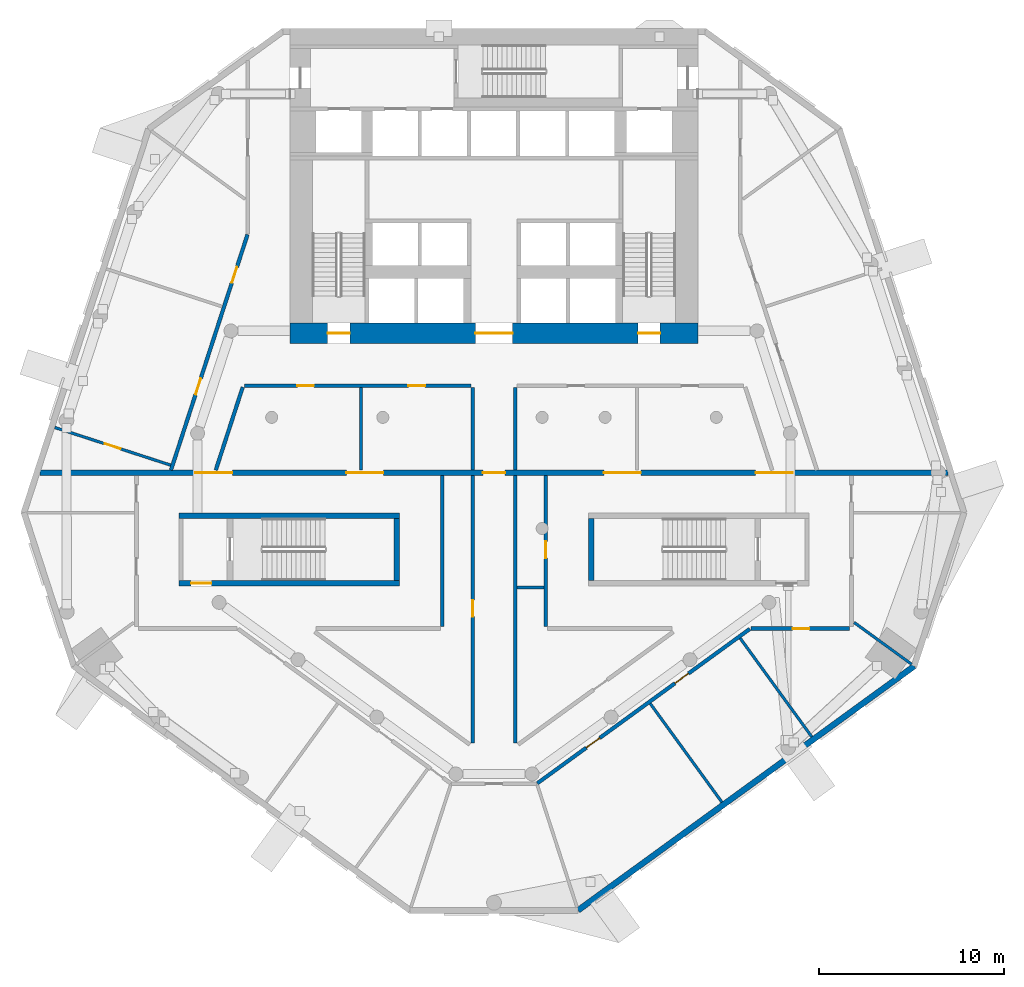
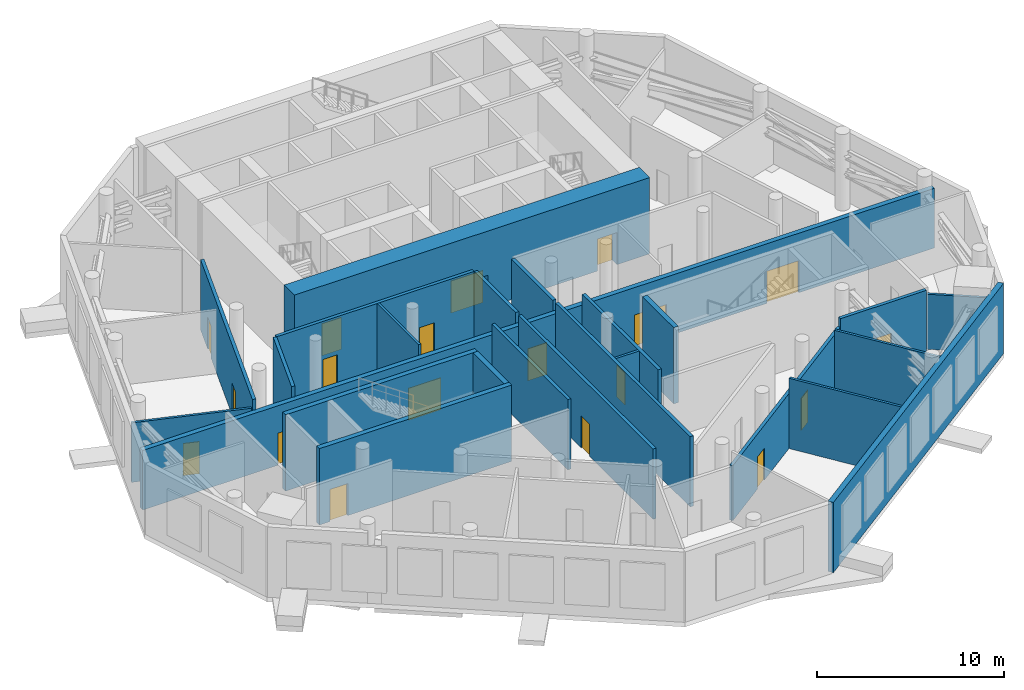
# One storey, part 7 of 15: 24 walls, 19 doors, 19 openings.
"""IFC4 building model written with IfcOpenShell, lengths in metres."""

from ifc_helpers import new_model, si_unit, direction, frame, frame_2d, origin, place, context, subcontext, project, spatial, rectangle, extrude, material, layer, layer_set, type_object, element, fill, save


model = new_model("IFC4")

# Units and contexts
model_context = context("Model", 3, precision=1e-05, world=origin(), true_north=direction((0.0, 1.0)))
body_context = subcontext(model_context, "Body", "Model", "MODEL_VIEW")
ifc_project = project(units=[si_unit("LENGTHUNIT", "METRE"), si_unit("AREAUNIT", "SQUARE_METRE"), si_unit("VOLUMEUNIT", "CUBIC_METRE"), si_unit("PLANEANGLEUNIT", "RADIAN"), si_unit("MASSUNIT", "GRAM", prefix="KILO")], contexts=[model_context])

# Site, building, storey
site_placement = place(None, origin())
site = spatial("IfcSite", under=ifc_project, at=site_placement, CompositionType="ELEMENT")
building_placement = place(site_placement, origin())
building = spatial("IfcBuilding", under=site, at=building_placement, Name="White Candle Pilgrim Tower", CompositionType="ELEMENT")
storey_placement = place(building_placement, frame((0.0, 0.0, 137.60009765625)))
storey = spatial("IfcBuildingStorey", under=building, at=storey_placement, Name="L31", CompositionType="ELEMENT", Elevation=137.60009765625)

# Wall, openings, doors
ifc_material_1 = material(Name="Gypsum board on steel studs", Category="steel")
ifc_layer_1 = layer(ifc_material_1, 0.199951171875)
ifc_layer_set_1 = layer_set([ifc_layer_1], Name="Corridor wall 200 mm EI 45")
wall_type_1 = type_object("IfcWallType", Name="Corridor wall 200 mm EI 45", PredefinedType="PARTITIONING", material=ifc_layer_set_1)
wall_1_placement = place(storey_placement, frame((52.562744140625, 64.14990234375, 0.0), z_axis=(0.0, 0.0, 1.0), x_axis=(0.309005574406, 0.951060226792, 0.0)))
wall_1 = element("IfcWall", 1, at=wall_1_placement, inside=storey, type_object=wall_type_1, Name="WL-L31-P002", PredefinedType="PARTITIONING", context=body_context, shape_type="SweptSolid", body=[
    extrude(rectangle(XDim=13.373046875, YDim=0.199951171875, at=frame_2d((6.6865234375, 0.0))), origin(), (0.0, 0.0, 1.0), 4.599853515625),
])
opening_1_placement = place(wall_1_placement, frame((4.30224609375, 0.0, 0.0)))
opening_1 = element("IfcOpeningElement", 2, at=opening_1_placement, cuts=wall_1, Name="Opening L31-121", PredefinedType="OPENING", context=body_context, shape_type="SweptSolid", body=[
    extrude(rectangle(XDim=0.89990234375, YDim=2.10009765625, at=frame_2d((0.449951171875, 1.050048828125))), frame((0.0, 0.10986328125, 0.0), z_axis=(0.0, -1.0, 0.0), x_axis=(1.0, 0.0, 0.0)), (0.0, 0.0, 1.0), 0.219970703125),
])
opening_2_placement = place(wall_1_placement, frame((10.632080078125, 0.0, 0.0)))
opening_2 = element("IfcOpeningElement", 3, at=opening_2_placement, cuts=wall_1, Name="Opening L31-122", PredefinedType="OPENING", context=body_context, shape_type="SweptSolid", body=[
    extrude(rectangle(XDim=0.89990234375, YDim=2.10009765625, at=frame_2d((0.449951171875, 1.050048828125))), frame((0.0, 0.10986328125, 0.0), z_axis=(0.0, -1.0, 0.0), x_axis=(1.0, 0.0, 0.0)), (0.0, 0.0, 1.0), 0.219970703125),
])
ifc_material_2 = material(Name="Steel door leaf", Category="steel")
door_type_1 = type_object("IfcDoorType", Name="Fire door 900 x 2100 EI 30", OperationType="NOTDEFINED", PredefinedType="DOOR", material=ifc_material_2)
door_1_placement = place(opening_1_placement, origin())
door_1 = element("IfcDoor", 4, at=door_1_placement, inside=storey, type_object=door_type_1, Name="Door L31-121", OperationType="SINGLE_SWING_LEFT", OverallHeight=2.10009765625, OverallWidth=0.89990234375, PredefinedType="DOOR", context=body_context, shape_type="SweptSolid", body=[
    extrude(rectangle(XDim=0.89990234375, YDim=2.10009765625, at=frame_2d((0.449951171875, 1.050048828125))), frame((0.0, 0.02490234375, 0.0), z_axis=(0.0, -1.0, 0.0), x_axis=(1.0, 0.0, 0.0)), (0.0, 0.0, 1.0), 0.050048828125),
])
fill(opening_1, door_1)
door_2_placement = place(opening_2_placement, origin())
door_2 = element("IfcDoor", 5, at=door_2_placement, inside=storey, type_object=door_type_1, Name="Door L31-122", OperationType="SINGLE_SWING_RIGHT", OverallHeight=2.10009765625, OverallWidth=0.89990234375, PredefinedType="DOOR", context=body_context, shape_type="SweptSolid", body=[
    extrude(rectangle(XDim=0.89990234375, YDim=2.10009765625, at=frame_2d((0.449951171875, 1.050048828125))), frame((0.0, 0.02490234375, 0.0), z_axis=(0.0, -1.0, 0.0), x_axis=(1.0, 0.0, 0.0)), (0.0, 0.0, 1.0), 0.050048828125),
])
fill(opening_2, door_2)

# Wall, opening, door
wall_2_placement = place(storey_placement, frame((89.199951171875, 55.60009765625, 0.0), z_axis=(0.0, 0.0, 1.0), x_axis=(-1.0, 0.0, 0.0)))
wall_2 = element("IfcWall", 6, at=wall_2_placement, inside=storey, type_object=wall_type_1, Name="WL-L31-P007", PredefinedType="PARTITIONING", context=body_context, shape_type="SweptSolid", body=[
    extrude(rectangle(XDim=5.32958984375, YDim=0.199951171875, at=frame_2d((2.664794921875, 0.0))), origin(), (0.0, 0.0, 1.0), 4.14990234375),
])
opening_3_placement = place(wall_2_placement, frame((2.18115234375, 0.0, 0.0)))
opening_3 = element("IfcOpeningElement", 7, at=opening_3_placement, cuts=wall_2, Name="Opening L31-108", PredefinedType="OPENING", context=body_context, shape_type="SweptSolid", body=[
    extrude(rectangle(XDim=0.89990234375, YDim=2.10009765625, at=frame_2d((0.449951171875, 1.050048828125))), frame((0.0, 0.10986328125, 0.0), z_axis=(0.0, -1.0, 0.0), x_axis=(1.0, 0.0, 0.0)), (0.0, 0.0, 1.0), 0.219970703125),
])
door_3_placement = place(opening_3_placement, origin())
door_3 = element("IfcDoor", 8, at=door_3_placement, inside=storey, type_object=door_type_1, Name="Door L31-108", OperationType="SINGLE_SWING_RIGHT", OverallHeight=2.10009765625, OverallWidth=0.89990234375, PredefinedType="DOOR", context=body_context, shape_type="SweptSolid", body=[
    extrude(rectangle(XDim=0.89990234375, YDim=2.10009765625, at=frame_2d((0.449951171875, 1.050048828125))), frame((0.0, 0.02490234375, 0.0), z_axis=(0.0, -1.0, 0.0), x_axis=(1.0, 0.0, 0.0)), (0.0, 0.0, 1.0), 0.050048828125),
])
fill(opening_3, door_3)

# Wall, openings, doors
wall_3_placement = place(storey_placement, frame((83.8115234375, 55.580810546875, 0.0), z_axis=(0.0, 0.0, 1.0), x_axis=(-0.809019673584, -0.58778156466, 0.0)))
wall_3 = element("IfcWall", 9, at=wall_3_placement, inside=storey, type_object=wall_type_1, Name="WL-L31-P008", PredefinedType="PARTITIONING", context=body_context, shape_type="SweptSolid", body=[
    extrude(rectangle(XDim=14.17919921875, YDim=0.199951171875, at=frame_2d((7.089599609375, 0.0))), origin(), (0.0, 0.0, 1.0), 3.599853515625),
])
opening_4_placement = place(wall_3_placement, frame((10.01513671875, 0.0, 0.0)))
opening_4 = element("IfcOpeningElement", 10, at=opening_4_placement, cuts=wall_3, Name="Opening L31-106", PredefinedType="OPENING", context=body_context, shape_type="SweptSolid", body=[
    extrude(rectangle(XDim=0.89990234375, YDim=2.10009765625, at=frame_2d((0.449951171875, 1.050048828125))), frame((0.0, 0.10986328125, 0.0), z_axis=(0.0, -1.0, 0.0), x_axis=(1.0, 0.0, 0.0)), (0.0, 0.0, 1.0), 0.219970703125),
])
opening_5_placement = place(wall_3_placement, frame((4.09375, 0.0, 0.0)))
opening_5 = element("IfcOpeningElement", 11, at=opening_5_placement, cuts=wall_3, Name="Opening L31-107", PredefinedType="OPENING", context=body_context, shape_type="SweptSolid", body=[
    extrude(rectangle(XDim=0.89990234375, YDim=2.10009765625, at=frame_2d((0.449951171875, 1.050048828125))), frame((0.0, 0.10986328125, 0.0), z_axis=(0.0, -1.0, 0.0), x_axis=(1.0, 0.0, 0.0)), (0.0, 0.0, 1.0), 0.219970703125),
])
door_4_placement = place(opening_4_placement, origin())
door_4 = element("IfcDoor", 12, at=door_4_placement, inside=storey, type_object=door_type_1, Name="Door L31-106", OperationType="SINGLE_SWING_RIGHT", OverallHeight=2.10009765625, OverallWidth=0.89990234375, PredefinedType="DOOR", context=body_context, shape_type="SweptSolid", body=[
    extrude(rectangle(XDim=0.89990234375, YDim=2.10009765625, at=frame_2d((0.449951171875, 1.050048828125))), frame((0.0, 0.02490234375, 0.0), z_axis=(0.0, -1.0, 0.0), x_axis=(1.0, 0.0, 0.0)), (0.0, 0.0, 1.0), 0.050048828125),
])
fill(opening_4, door_4)
door_5_placement = place(opening_5_placement, origin())
door_5 = element("IfcDoor", 13, at=door_5_placement, inside=storey, type_object=door_type_1, Name="Door L31-107", OperationType="SINGLE_SWING_LEFT", OverallHeight=2.10009765625, OverallWidth=0.89990234375, PredefinedType="DOOR", context=body_context, shape_type="SweptSolid", body=[
    extrude(rectangle(XDim=0.89990234375, YDim=2.10009765625, at=frame_2d((0.449951171875, 1.050048828125))), frame((0.0, 0.02490234375, 0.0), z_axis=(0.0, -1.0, 0.0), x_axis=(1.0, 0.0, 0.0)), (0.0, 0.0, 1.0), 0.050048828125),
])
fill(opening_5, door_5)

# Walls
wall_4_placement = place(storey_placement, frame((71.14990234375, 68.60009765625, 0.0), z_axis=(0.0, 0.0, 1.0), x_axis=(0.0, -1.0, 0.0)))
element("IfcWall", 14, at=wall_4_placement, inside=storey, type_object=wall_type_1, Name="WL-L31-P015", PredefinedType="PARTITIONING", context=body_context, shape_type="SweptSolid", body=[
    extrude(rectangle(XDim=4.4501953125, YDim=0.199951171875, at=frame_2d((2.22509765625, 0.0))), origin(), (0.0, 0.0, 1.0), 4.599853515625),
])
wall_5_placement = place(storey_placement, frame((71.14990234375, 63.85009765625, 0.0), z_axis=(0.0, 0.0, 1.0), x_axis=(0.0, -1.0, 0.0)))
element("IfcWall", 15, at=wall_5_placement, inside=storey, type_object=wall_type_1, Name="WL-L31-P016", PredefinedType="PARTITIONING", context=body_context, shape_type="SweptSolid", body=[
    extrude(rectangle(XDim=14.42919921875, YDim=0.199951171875, at=frame_2d((7.214599609375, 0.0))), origin(), (0.0, 0.0, 1.0), 4.599853515625),
])

# Wall, opening, door
wall_6_placement = place(storey_placement, frame((72.800048828125, 55.699951171875, 0.0), z_axis=(0.0, 0.0, 1.0), x_axis=(0.0, 1.0, 0.0)))
wall_6 = element("IfcWall", 16, at=wall_6_placement, inside=storey, type_object=wall_type_1, Name="WL-L31-P019", PredefinedType="PARTITIONING", context=body_context, shape_type="SweptSolid", body=[
    extrude(rectangle(XDim=8.150146484375, YDim=0.199951171875, at=frame_2d((4.0751953125, 0.0))), origin(), (0.0, 0.0, 1.0), 4.599853515625),
])
opening_6_placement = place(wall_6_placement, frame((3.704345703125, 0.0, 0.0)))
opening_6 = element("IfcOpeningElement", 17, at=opening_6_placement, cuts=wall_6, Name="Opening L31-118", PredefinedType="OPENING", context=body_context, shape_type="SweptSolid", body=[
    extrude(rectangle(XDim=0.89990234375, YDim=2.10009765625, at=frame_2d((0.449951171875, 1.050048828125))), frame((0.0, 0.10986328125, 0.0), z_axis=(0.0, -1.0, 0.0), x_axis=(1.0, 0.0, 0.0)), (0.0, 0.0, 1.0), 0.219970703125),
])
door_6_placement = place(opening_6_placement, origin())
door_6 = element("IfcDoor", 18, at=door_6_placement, inside=storey, type_object=door_type_1, Name="Door L31-118", OperationType="SINGLE_SWING_RIGHT", OverallHeight=2.10009765625, OverallWidth=0.89990234375, PredefinedType="DOOR", context=body_context, shape_type="SweptSolid", body=[
    extrude(rectangle(XDim=0.89990234375, YDim=2.10009765625, at=frame_2d((0.449951171875, 1.050048828125))), frame((0.0, 0.02490234375, 0.0), z_axis=(0.0, -1.0, 0.0), x_axis=(1.0, 0.0, 0.0)), (0.0, 0.0, 1.0), 0.050048828125),
])
fill(opening_6, door_6)

wall_7_placement = place(storey_placement, frame((68.85009765625, 49.4208984375, 0.0), z_axis=(0.0, 0.0, 1.0), x_axis=(0.0, 1.0, 0.0)))
wall_7 = element("IfcWall", 19, at=wall_7_placement, inside=storey, type_object=wall_type_1, Name="WL-L31-P020", PredefinedType="PARTITIONING", context=body_context, shape_type="SweptSolid", body=[
    extrude(rectangle(XDim=14.42919921875, YDim=0.199951171875, at=frame_2d((7.214599609375, 0.0))), origin(), (0.0, 0.0, 1.0), 4.599853515625),
])
opening_7_placement = place(wall_7_placement, frame((6.817626953125, 0.0, 0.0)))
opening_7 = element("IfcOpeningElement", 20, at=opening_7_placement, cuts=wall_7, Name="Opening L31-115", PredefinedType="OPENING", context=body_context, shape_type="SweptSolid", body=[
    extrude(rectangle(XDim=0.89990234375, YDim=2.10009765625, at=frame_2d((0.449951171875, 1.050048828125))), frame((0.0, 0.10986328125, 0.0), z_axis=(0.0, -1.0, 0.0), x_axis=(1.0, 0.0, 0.0)), (0.0, 0.0, 1.0), 0.219970703125),
])
door_7_placement = place(opening_7_placement, origin())
door_7 = element("IfcDoor", 21, at=door_7_placement, inside=storey, type_object=door_type_1, Name="Door L31-115", OperationType="SINGLE_SWING_LEFT", OverallHeight=2.10009765625, OverallWidth=0.89990234375, PredefinedType="DOOR", context=body_context, shape_type="SweptSolid", body=[
    extrude(rectangle(XDim=0.89990234375, YDim=2.10009765625, at=frame_2d((0.449951171875, 1.050048828125))), frame((0.0, 0.02490234375, 0.0), z_axis=(0.0, -1.0, 0.0), x_axis=(1.0, 0.0, 0.0)), (0.0, 0.0, 1.0), 0.050048828125),
])
fill(opening_7, door_7)

# Wall
wall_8_placement = place(storey_placement, frame((68.85009765625, 64.14990234375, 0.0), z_axis=(0.0, 0.0, 1.0), x_axis=(0.0, 1.0, 0.0)))
element("IfcWall", 22, at=wall_8_placement, inside=storey, type_object=wall_type_1, Name="WL-L31-P021", PredefinedType="PARTITIONING", context=body_context, shape_type="SweptSolid", body=[
    extrude(rectangle(XDim=4.4501953125, YDim=0.199951171875, at=frame_2d((2.22509765625, 0.0))), origin(), (0.0, 0.0, 1.0), 4.599853515625),
])

# Wall, openings, doors
wall_9_placement = place(storey_placement, frame((68.75, 68.699951171875, 0.0), z_axis=(0.0, 0.0, 1.0), x_axis=(-1.0, 0.0, 0.0)))
wall_9 = element("IfcWall", 23, at=wall_9_placement, inside=storey, type_object=wall_type_1, Name="WL-L31-P022", PredefinedType="PARTITIONING", context=body_context, shape_type="SweptSolid", body=[
    extrude(rectangle(XDim=12.218017578125, YDim=0.199951171875, at=frame_2d((6.10888671875, 0.0))), origin(), (0.0, 0.0, 1.0), 4.599853515625),
])
opening_8_placement = place(wall_9_placement, frame((2.467529296875, 0.0, 0.0)))
opening_8 = element("IfcOpeningElement", 24, at=opening_8_placement, cuts=wall_9, Name="Opening L31-116", PredefinedType="OPENING", context=body_context, shape_type="SweptSolid", body=[
    extrude(rectangle(XDim=0.89990234375, YDim=2.10009765625, at=frame_2d((0.449951171875, 1.050048828125))), frame((0.0, 0.10986328125, 0.0), z_axis=(0.0, -1.0, 0.0), x_axis=(1.0, 0.0, 0.0)), (0.0, 0.0, 1.0), 0.219970703125),
])
opening_9_placement = place(wall_9_placement, frame((8.467041015625, 0.0, 0.0)))
opening_9 = element("IfcOpeningElement", 25, at=opening_9_placement, cuts=wall_9, Name="Opening L31-129", PredefinedType="OPENING", context=body_context, shape_type="SweptSolid", body=[
    extrude(rectangle(XDim=0.89990234375, YDim=2.10009765625, at=frame_2d((0.449951171875, 1.050048828125))), frame((0.0, 0.10986328125, 0.0), z_axis=(0.0, -1.0, 0.0), x_axis=(1.0, 0.0, 0.0)), (0.0, 0.0, 1.0), 0.219970703125),
])
door_8_placement = place(opening_8_placement, origin())
door_8 = element("IfcDoor", 26, at=door_8_placement, inside=storey, type_object=door_type_1, Name="Door L31-116", OperationType="SINGLE_SWING_RIGHT", OverallHeight=2.10009765625, OverallWidth=0.89990234375, PredefinedType="DOOR", context=body_context, shape_type="SweptSolid", body=[
    extrude(rectangle(XDim=0.89990234375, YDim=2.10009765625, at=frame_2d((0.449951171875, 1.050048828125))), frame((0.0, 0.02490234375, 0.0), z_axis=(0.0, -1.0, 0.0), x_axis=(1.0, 0.0, 0.0)), (0.0, 0.0, 1.0), 0.050048828125),
])
fill(opening_8, door_8)
door_9_placement = place(opening_9_placement, origin())
door_9 = element("IfcDoor", 27, at=door_9_placement, inside=storey, type_object=door_type_1, Name="Door L31-129", OperationType="SINGLE_SWING_LEFT", OverallHeight=2.10009765625, OverallWidth=0.89990234375, PredefinedType="DOOR", context=body_context, shape_type="SweptSolid", body=[
    extrude(rectangle(XDim=0.89990234375, YDim=2.10009765625, at=frame_2d((0.449951171875, 1.050048828125))), frame((0.0, 0.02490234375, 0.0), z_axis=(0.0, -1.0, 0.0), x_axis=(1.0, 0.0, 0.0)), (0.0, 0.0, 1.0), 0.050048828125),
])
fill(opening_9, door_9)

# Walls
wall_10_placement = place(storey_placement, frame((56.43701171875, 68.630859375, 0.0), z_axis=(0.0, 0.0, 1.0), x_axis=(-0.309036861841, -0.951050060735, 0.0)))
element("IfcWall", 28, at=wall_10_placement, inside=storey, type_object=wall_type_1, Name="WL-L31-P023", PredefinedType="PARTITIONING", context=body_context, shape_type="SweptSolid", body=[
    extrude(rectangle(XDim=4.711669921875, YDim=0.199951171875, at=frame_2d((2.35595703125, 0.0))), origin(), (0.0, 0.0, 1.0), 4.599853515625),
])
wall_11_placement = place(storey_placement, frame((67.199951171875, 63.85009765625, 0.0), z_axis=(0.0, 0.0, 1.0), x_axis=(0.0, -1.0, 0.0)))
element("IfcWall", 29, at=wall_11_placement, inside=storey, type_object=wall_type_1, Name="WL-L31-P024", PredefinedType="PARTITIONING", context=body_context, shape_type="SweptSolid", body=[
    extrude(rectangle(XDim=8.150146484375, YDim=0.199951171875, at=frame_2d((4.0751953125, 0.0))), origin(), (0.0, 0.0, 1.0), 4.599853515625),
])
ifc_material_3 = material(Name="Precast concrete C40/50", Category="concrete")
ifc_layer_2 = layer(ifc_material_3, 0.320068359375)
ifc_layer_set_2 = layer_set([ifc_layer_2], Name="Facade wall EW2 precast concrete C40/50 plant wall behind louvres")
wall_type_2 = type_object("IfcWallType", Name="Facade wall EW2 precast concrete C40/50 plant wall behind louvres", PredefinedType="SOLIDWALL", material=ifc_layer_set_2)
wall_12_placement = place(storey_placement, frame((74.536376953125, 40.387451171875, 0.0), z_axis=(0.0, 0.0, 1.0), x_axis=(0.80902026874, 0.58778074549, 0.0)))
element("IfcWall", 30, at=wall_12_placement, inside=storey, type_object=wall_type_2, Name="Facade wall L31 SE", PredefinedType="SOLIDWALL", context=body_context, shape_type="SweptSolid", body=[
    extrude(rectangle(XDim=22.43115234375, YDim=0.320068359375, at=frame_2d((11.215576171875, 0.0))), origin(), (0.0, 0.0, 1.0), 4.599853515625),
])

# Wall, openings, doors
ifc_material_4 = material(Name="Aerated concrete block", Category="concrete")
ifc_layer_3 = layer(ifc_material_4, 0.300048828125)
ifc_layer_set_3 = layer_set([ifc_layer_3], Name="Fire wall 300 mm REI 240")
wall_type_3 = type_object("IfcWallType", Name="Fire wall 300 mm REI 240", PredefinedType="PARTITIONING", material=ifc_layer_set_3)
wall_13_placement = place(storey_placement, frame((45.490234375, 64.0, 0.0), z_axis=(0.0, 0.0, 1.0), x_axis=(1.0, 0.0, 0.0)))
wall_13 = element("IfcWall", 31, at=wall_13_placement, inside=storey, type_object=wall_type_3, Name="WL-L31-P001", PredefinedType="PARTITIONING", context=body_context, shape_type="SweptSolid", body=[
    extrude(rectangle(XDim=49.01953125, YDim=0.300048828125, at=frame_2d((24.509765625, 0.0))), origin(), (0.0, 0.0, 1.0), 3.89990234375),
])
opening_10_placement = place(wall_13_placement, frame((8.384765625, 0.0, 0.0)))
opening_10 = element("IfcOpeningElement", 32, at=opening_10_placement, cuts=wall_13, Name="Opening L31-110", PredefinedType="OPENING", context=body_context, shape_type="SweptSolid", body=[
    extrude(rectangle(XDim=2.0, YDim=2.10009765625, at=frame_2d((1.0, 1.050048828125))), frame((0.0, 0.159912109375, 0.0), z_axis=(0.0, -1.0, 0.0), x_axis=(1.0, 0.0, 0.0)), (0.0, 0.0, 1.0), 0.320068359375),
])
opening_11_placement = place(wall_13_placement, frame((16.534912109375, 0.0, 0.0)))
opening_11 = element("IfcOpeningElement", 33, at=opening_11_placement, cuts=wall_13, Name="Opening L31-111", PredefinedType="OPENING", context=body_context, shape_type="SweptSolid", body=[
    extrude(rectangle(XDim=2.0, YDim=2.10009765625, at=frame_2d((1.0, 1.050048828125))), frame((0.0, 0.159912109375, 0.0), z_axis=(0.0, -1.0, 0.0), x_axis=(1.0, 0.0, 0.0)), (0.0, 0.0, 1.0), 0.320068359375),
])
opening_12_placement = place(wall_13_placement, frame((23.909912109375, 0.0, 0.0)))
opening_12 = element("IfcOpeningElement", 34, at=opening_12_placement, cuts=wall_13, Name="Opening L31-112", PredefinedType="OPENING", context=body_context, shape_type="SweptSolid", body=[
    extrude(rectangle(XDim=1.199951171875, YDim=2.10009765625, at=frame_2d((0.60009765625, 1.050048828125))), frame((0.0, 0.159912109375, 0.0), z_axis=(0.0, -1.0, 0.0), x_axis=(1.0, 0.0, 0.0)), (0.0, 0.0, 1.0), 0.320068359375),
])
opening_13_placement = place(wall_13_placement, frame((30.434814453125, 0.0, 0.0)))
opening_13 = element("IfcOpeningElement", 35, at=opening_13_placement, cuts=wall_13, Name="Opening L31-113", PredefinedType="OPENING", context=body_context, shape_type="SweptSolid", body=[
    extrude(rectangle(XDim=2.0, YDim=2.10009765625, at=frame_2d((1.0, 1.050048828125))), frame((0.0, 0.159912109375, 0.0), z_axis=(0.0, -1.0, 0.0), x_axis=(1.0, 0.0, 0.0)), (0.0, 0.0, 1.0), 0.320068359375),
])
opening_14_placement = place(wall_13_placement, frame((38.634765625, 0.0, 0.0)))
opening_14 = element("IfcOpeningElement", 36, at=opening_14_placement, cuts=wall_13, Name="Opening L31-114", PredefinedType="OPENING", context=body_context, shape_type="SweptSolid", body=[
    extrude(rectangle(XDim=2.0, YDim=2.10009765625, at=frame_2d((1.0, 1.050048828125))), frame((0.0, 0.159912109375, 0.0), z_axis=(0.0, -1.0, 0.0), x_axis=(1.0, 0.0, 0.0)), (0.0, 0.0, 1.0), 0.320068359375),
])
door_type_2 = type_object("IfcDoorType", Name="Fire door 1200 x 2100 EI 60", OperationType="NOTDEFINED", PredefinedType="DOOR", material=ifc_material_2)
door_10_placement = place(opening_12_placement, origin())
door_10 = element("IfcDoor", 37, at=door_10_placement, inside=storey, type_object=door_type_2, Name="Door L31-112", OperationType="SINGLE_SWING_RIGHT", OverallHeight=2.10009765625, OverallWidth=1.199951171875, PredefinedType="DOOR", context=body_context, shape_type="SweptSolid", body=[
    extrude(rectangle(XDim=1.199951171875, YDim=2.10009765625, at=frame_2d((0.60009765625, 1.050048828125))), frame((0.0, 0.02490234375, 0.0), z_axis=(0.0, -1.0, 0.0), x_axis=(1.0, 0.0, 0.0)), (0.0, 0.0, 1.0), 0.050048828125),
])
fill(opening_12, door_10)
door_type_3 = type_object("IfcDoorType", Name="Fire door 2000 x 2100 EI 60", OperationType="NOTDEFINED", PredefinedType="DOOR", material=ifc_material_2)
door_11_placement = place(opening_10_placement, origin())
door_11 = element("IfcDoor", 38, at=door_11_placement, inside=storey, type_object=door_type_3, Name="Door L31-110", OperationType="DOUBLE_DOOR_SINGLE_SWING", OverallHeight=2.10009765625, OverallWidth=2.0, PredefinedType="DOOR", context=body_context, shape_type="SweptSolid", body=[
    extrude(rectangle(XDim=2.0, YDim=2.10009765625, at=frame_2d((1.0, 1.050048828125))), frame((0.0, 0.02490234375, 0.0), z_axis=(0.0, -1.0, 0.0), x_axis=(1.0, 0.0, 0.0)), (0.0, 0.0, 1.0), 0.050048828125),
])
fill(opening_10, door_11)
door_12_placement = place(opening_11_placement, origin())
door_12 = element("IfcDoor", 39, at=door_12_placement, inside=storey, type_object=door_type_3, Name="Door L31-111", OperationType="DOUBLE_DOOR_SINGLE_SWING", OverallHeight=2.10009765625, OverallWidth=2.0, PredefinedType="DOOR", context=body_context, shape_type="SweptSolid", body=[
    extrude(rectangle(XDim=2.0, YDim=2.10009765625, at=frame_2d((1.0, 1.050048828125))), frame((0.0, 0.02490234375, 0.0), z_axis=(0.0, -1.0, 0.0), x_axis=(1.0, 0.0, 0.0)), (0.0, 0.0, 1.0), 0.050048828125),
])
fill(opening_11, door_12)
door_13_placement = place(opening_13_placement, origin())
door_13 = element("IfcDoor", 40, at=door_13_placement, inside=storey, type_object=door_type_3, Name="Door L31-113", OperationType="DOUBLE_DOOR_SINGLE_SWING", OverallHeight=2.10009765625, OverallWidth=2.0, PredefinedType="DOOR", context=body_context, shape_type="SweptSolid", body=[
    extrude(rectangle(XDim=2.0, YDim=2.10009765625, at=frame_2d((1.0, 1.050048828125))), frame((0.0, 0.02490234375, 0.0), z_axis=(0.0, -1.0, 0.0), x_axis=(1.0, 0.0, 0.0)), (0.0, 0.0, 1.0), 0.050048828125),
])
fill(opening_13, door_13)
door_14_placement = place(opening_14_placement, origin())
door_14 = element("IfcDoor", 41, at=door_14_placement, inside=storey, type_object=door_type_3, Name="Door L31-114", OperationType="DOUBLE_DOOR_SINGLE_SWING", OverallHeight=2.10009765625, OverallWidth=2.0, PredefinedType="DOOR", context=body_context, shape_type="SweptSolid", body=[
    extrude(rectangle(XDim=2.0, YDim=2.10009765625, at=frame_2d((1.0, 1.050048828125))), frame((0.0, 0.02490234375, 0.0), z_axis=(0.0, -1.0, 0.0), x_axis=(1.0, 0.0, 0.0)), (0.0, 0.0, 1.0), 0.050048828125),
])
fill(opening_14, door_14)

# Wall
ifc_layer_4 = layer(ifc_material_1, 0.14990234375)
ifc_layer_set_4 = layer_set([ifc_layer_4], Name="Partition 150 mm EI 60")
wall_type_4 = type_object("IfcWallType", Name="Partition 150 mm EI 60", PredefinedType="PARTITIONING", material=ifc_layer_set_4)
wall_14_placement = place(storey_placement, frame((92.54736328125, 53.6708984375, 0.0), z_axis=(0.0, 0.0, 1.0), x_axis=(-0.808989212511, 0.587823488848, 0.0)))
element("IfcWall", 42, at=wall_14_placement, inside=storey, type_object=wall_type_4, Name="WL-L31-P032", PredefinedType="PARTITIONING", context=body_context, shape_type="SweptSolid", body=[
    extrude(rectangle(XDim=3.8359375, YDim=0.14990234375, at=frame_2d((1.91796875, 0.0))), origin(), (0.0, 0.0, 1.0), 3.599853515625),
])

# Wall, opening, door
wall_15_placement = place(storey_placement, frame((46.28759765625, 66.4541015625, 0.0), z_axis=(0.0, 0.0, 1.0), x_axis=(0.951060241863, -0.309005528021, 0.0)))
wall_15 = element("IfcWall", 43, at=wall_15_placement, inside=storey, type_object=wall_type_4, Name="WL-L31-P036", PredefinedType="PARTITIONING", context=body_context, shape_type="SweptSolid", body=[
    extrude(rectangle(XDim=6.579833984375, YDim=0.14990234375, at=frame_2d((3.2900390625, 0.0))), origin(), (0.0, 0.0, 1.0), 3.89990234375),
])
opening_15_placement = place(wall_15_placement, frame((2.83837890625, 0.0, 0.0)))
opening_15 = element("IfcOpeningElement", 44, at=opening_15_placement, cuts=wall_15, Name="Opening L31-130", PredefinedType="OPENING", context=body_context, shape_type="SweptSolid", body=[
    extrude(rectangle(XDim=0.89990234375, YDim=2.10009765625, at=frame_2d((0.449951171875, 1.050048828125))), frame((0.0, 0.0849609375, 0.0), z_axis=(0.0, -1.0, 0.0), x_axis=(1.0, 0.0, 0.0)), (0.0, 0.0, 1.0), 0.169921875),
])
door_15_placement = place(opening_15_placement, frame((0.89990234375, 0.0, 0.0), z_axis=(0.0, 0.0, 1.0), x_axis=(-1.0, 0.0, 0.0)))
door_15 = element("IfcDoor", 45, at=door_15_placement, inside=storey, type_object=door_type_1, Name="Door L31-130", OperationType="SINGLE_SWING_LEFT", OverallHeight=2.10009765625, OverallWidth=0.89990234375, PredefinedType="DOOR", context=body_context, shape_type="SweptSolid", body=[
    extrude(rectangle(XDim=0.89990234375, YDim=2.10009765625, at=frame_2d((0.449951171875, 1.050048828125))), frame((0.0, 0.02490234375, 0.0), z_axis=(0.0, -1.0, 0.0), x_axis=(1.0, 0.0, 0.0)), (0.0, 0.0, 1.0), 0.050048828125),
])
fill(opening_15, door_15)

# Walls
wall_16_placement = place(storey_placement, frame((82.302490234375, 46.2275390625, 0.0), z_axis=(0.0, 0.0, 1.0), x_axis=(-0.587796586364, 0.809008759569, 0.0)))
element("IfcWall", 46, at=wall_16_placement, inside=storey, type_object=wall_type_4, Name="WL-L31-P039", PredefinedType="PARTITIONING", context=body_context, shape_type="SweptSolid", body=[
    extrude(rectangle(XDim=6.580078125, YDim=0.14990234375, at=frame_2d((3.2900390625, 0.0))), origin(), (0.0, 0.0, 1.0), 4.599853515625),
])
wall_17_placement = place(storey_placement, frame((87.156494140625, 49.75439453125, 0.0), z_axis=(0.0, 0.0, 1.0), x_axis=(-0.587796586364, 0.809008759569, 0.0)))
element("IfcWall", 47, at=wall_17_placement, inside=storey, type_object=wall_type_4, Name="WL-L31-P040", PredefinedType="PARTITIONING", context=body_context, shape_type="SweptSolid", body=[
    extrude(rectangle(XDim=6.580078125, YDim=0.14990234375, at=frame_2d((3.2900390625, 0.0))), origin(), (0.0, 0.0, 1.0), 3.89990234375),
])
wall_18_placement = place(storey_placement, frame((62.81494140625, 64.14990234375, 0.0), z_axis=(0.0, 0.0, 1.0), x_axis=(0.0, 1.0, 0.0)))
element("IfcWall", 48, at=wall_18_placement, inside=storey, type_object=wall_type_4, Name="WL-L31-P042", PredefinedType="PARTITIONING", context=body_context, shape_type="SweptSolid", body=[
    extrude(rectangle(XDim=4.4501953125, YDim=0.14990234375, at=frame_2d((2.22509765625, 0.0))), origin(), (0.0, 0.0, 1.0), 4.599853515625),
])
wall_19_placement = place(storey_placement, frame((71.25, 57.80859375, 0.0), z_axis=(0.0, 0.0, 1.0), x_axis=(1.0, 0.0, 0.0)))
element("IfcWall", 49, at=wall_19_placement, inside=storey, type_object=wall_type_4, Name="WL-L31-P043", PredefinedType="PARTITIONING", context=body_context, shape_type="SweptSolid", body=[
    extrude(rectangle(XDim=1.449951171875, YDim=0.14990234375, at=frame_2d((0.72509765625, 0.0))), origin(), (0.0, 0.0, 1.0), 4.599853515625),
])

# Wall, openings, doors
ifc_material_5 = material(Name="Concrete C60/75", Category="concrete")
ifc_layer_5 = layer(ifc_material_5, 1.10009765625)
ifc_layer_set_5 = layer_set([ifc_layer_5], Name="Stair shaft wall 1100 mm Concrete C60/75")
wall_type_5 = type_object("IfcWallType", Name="Stair shaft wall 1100 mm Concrete C60/75", PredefinedType="SHEAR", material=ifc_layer_set_5)
wall_20_placement = place(storey_placement, frame((59.0, 71.550048828125, 0.0), z_axis=(0.0, 0.0, 1.0), x_axis=(1.0, 0.0, 0.0)))
wall_20 = element("IfcWall", 50, at=wall_20_placement, inside=storey, type_object=wall_type_5, Name="WL-L31-C11", PredefinedType="SHEAR", context=body_context, shape_type="SweptSolid", body=[
    extrude(rectangle(XDim=22.0, YDim=1.10009765625, at=frame_2d((11.0, 0.0))), origin(), (0.0, 0.0, 1.0), 5.0),
])
opening_16_placement = place(wall_20_placement, frame((2.02490234375, 0.0, 0.0)))
opening_16 = element("IfcOpeningElement", 51, at=opening_16_placement, cuts=wall_20, Name="Opening L31-001", PredefinedType="OPENING", context=body_context, shape_type="SweptSolid", body=[
    extrude(rectangle(XDim=1.199951171875, YDim=2.10009765625, at=frame_2d((0.60009765625, 1.050048828125))), frame((0.0, 0.56005859375, 0.0), z_axis=(0.0, -1.0, 0.0), x_axis=(1.0, 0.0, 0.0)), (0.0, 0.0, 1.0), 1.1201171875),
])
opening_17_placement = place(wall_20_placement, frame((18.77490234375, 0.0, 0.0)))
opening_17 = element("IfcOpeningElement", 52, at=opening_17_placement, cuts=wall_20, Name="Opening L31-002", PredefinedType="OPENING", context=body_context, shape_type="SweptSolid", body=[
    extrude(rectangle(XDim=1.199951171875, YDim=2.10009765625, at=frame_2d((0.60009765625, 1.050048828125))), frame((0.0, 0.56005859375, 0.0), z_axis=(0.0, -1.0, 0.0), x_axis=(1.0, 0.0, 0.0)), (0.0, 0.0, 1.0), 1.1201171875),
])
opening_18_placement = place(wall_20_placement, frame((10.0, 0.0, 0.0)))
opening_18 = element("IfcOpeningElement", 53, at=opening_18_placement, cuts=wall_20, Name="Opening L31-004", PredefinedType="OPENING", context=body_context, shape_type="SweptSolid", body=[
    extrude(rectangle(XDim=2.0, YDim=2.10009765625, at=frame_2d((1.0, 1.050048828125))), frame((0.0, 0.56005859375, 0.0), z_axis=(0.0, -1.0, 0.0), x_axis=(1.0, 0.0, 0.0)), (0.0, 0.0, 1.0), 1.1201171875),
])
door_16_placement = place(opening_16_placement, frame((1.199951171875, 0.0, 0.0), z_axis=(0.0, 0.0, 1.0), x_axis=(-1.0, 0.0, 0.0)))
door_16 = element("IfcDoor", 54, at=door_16_placement, inside=storey, type_object=door_type_2, Name="Door L31-001", OperationType="SINGLE_SWING_RIGHT", OverallHeight=2.10009765625, OverallWidth=1.199951171875, PredefinedType="DOOR", context=body_context, shape_type="SweptSolid", body=[
    extrude(rectangle(XDim=1.199951171875, YDim=2.10009765625, at=frame_2d((0.60009765625, 1.050048828125))), frame((0.0, 0.02490234375, 0.0), z_axis=(0.0, -1.0, 0.0), x_axis=(1.0, 0.0, 0.0)), (0.0, 0.0, 1.0), 0.050048828125),
])
fill(opening_16, door_16)
door_17_placement = place(opening_17_placement, frame((1.199951171875, 0.0, 0.0), z_axis=(0.0, 0.0, 1.0), x_axis=(-1.0, 0.0, 0.0)))
door_17 = element("IfcDoor", 55, at=door_17_placement, inside=storey, type_object=door_type_2, Name="Door L31-002", OperationType="SINGLE_SWING_LEFT", OverallHeight=2.10009765625, OverallWidth=1.199951171875, PredefinedType="DOOR", context=body_context, shape_type="SweptSolid", body=[
    extrude(rectangle(XDim=1.199951171875, YDim=2.10009765625, at=frame_2d((0.60009765625, 1.050048828125))), frame((0.0, 0.02490234375, 0.0), z_axis=(0.0, -1.0, 0.0), x_axis=(1.0, 0.0, 0.0)), (0.0, 0.0, 1.0), 0.050048828125),
])
fill(opening_17, door_17)
door_18_placement = place(opening_18_placement, frame((2.0, 0.0, 0.0), z_axis=(0.0, 0.0, 1.0), x_axis=(-1.0, 0.0, 0.0)))
door_18 = element("IfcDoor", 56, at=door_18_placement, inside=storey, type_object=door_type_3, Name="Door L31-004", OperationType="DOUBLE_DOOR_SINGLE_SWING", OverallHeight=2.10009765625, OverallWidth=2.0, PredefinedType="DOOR", context=body_context, shape_type="SweptSolid", body=[
    extrude(rectangle(XDim=2.0, YDim=2.10009765625, at=frame_2d((1.0, 1.050048828125))), frame((0.0, 0.02490234375, 0.0), z_axis=(0.0, -1.0, 0.0), x_axis=(1.0, 0.0, 0.0)), (0.0, 0.0, 1.0), 0.050048828125),
])
fill(opening_18, door_18)

# Wall, opening, door
ifc_layer_6 = layer(ifc_material_5, 0.300048828125)
ifc_layer_set_6 = layer_set([ifc_layer_6], Name="Stair shaft wall 300 mm Concrete C60/75")
wall_type_6 = type_object("IfcWallType", Name="Stair shaft wall 300 mm Concrete C60/75", PredefinedType="SHEAR", material=ifc_layer_set_6)
wall_21_placement = place(storey_placement, frame((53.0, 58.050048828125, 0.0), z_axis=(0.0, 0.0, 1.0), x_axis=(1.0, 0.0, 0.0)))
wall_21 = element("IfcWall", 57, at=wall_21_placement, inside=storey, type_object=wall_type_6, Name="WL-L31-C01", PredefinedType="SHEAR", context=body_context, shape_type="SweptSolid", body=[
    extrude(rectangle(XDim=11.89990234375, YDim=0.300048828125, at=frame_2d((5.949951171875, 0.0))), origin(), (0.0, 0.0, 1.0), 5.0),
])
opening_19_placement = place(wall_21_placement, frame((0.64990234375, 0.0, 0.0)))
opening_19 = element("IfcOpeningElement", 58, at=opening_19_placement, cuts=wall_21, Name="Opening L31-007", PredefinedType="OPENING", context=body_context, shape_type="SweptSolid", body=[
    extrude(rectangle(XDim=1.10009765625, YDim=2.10009765625, at=frame_2d((0.550048828125, 1.050048828125))), frame((0.0, 0.159912109375, 0.0), z_axis=(0.0, -1.0, 0.0), x_axis=(1.0, 0.0, 0.0)), (0.0, 0.0, 1.0), 0.320068359375),
])
door_type_4 = type_object("IfcDoorType", Name="Fire door 1100 x 2100 EI 60", OperationType="NOTDEFINED", PredefinedType="DOOR", material=ifc_material_2)
door_19_placement = place(opening_19_placement, origin())
door_19 = element("IfcDoor", 59, at=door_19_placement, inside=storey, type_object=door_type_4, Name="Door L31-007", OperationType="SINGLE_SWING_LEFT", OverallHeight=2.10009765625, OverallWidth=1.10009765625, PredefinedType="DOOR", context=body_context, shape_type="SweptSolid", body=[
    extrude(rectangle(XDim=1.10009765625, YDim=2.10009765625, at=frame_2d((0.550048828125, 1.050048828125))), frame((0.0, 0.02490234375, 0.0), z_axis=(0.0, -1.0, 0.0), x_axis=(1.0, 0.0, 0.0)), (0.0, 0.0, 1.0), 0.050048828125),
])
fill(opening_19, door_19)

# Walls
for number, where, z_axis, x_axis, name in (
    (60, (64.75, 58.199951171875, 0.0), (0.0, 0.0, 1.0), (0.0, 1.0, 0.0), "WL-L31-C05"),
    (61, (75.25, 58.199951171875, 0.0), (0.0, 0.0, 1.0), (0.0, 1.0, 0.0), "WL-L31-C06"),
):
    element("IfcWall", number, at=place(storey_placement, frame(where, z_axis=z_axis, x_axis=x_axis)), inside=storey, type_object=wall_type_6, Name=name, PredefinedType="SHEAR", context=body_context, shape_type="SweptSolid", body=[
        extrude(rectangle(XDim=3.35009765625, YDim=0.300048828125, at=frame_2d((1.675048828125, 0.0))), origin(), (0.0, 0.0, 1.0), 5.0),
    ])
wall_22_placement = place(storey_placement, frame((53.0, 61.699951171875, 0.0), z_axis=(0.0, 0.0, 1.0), x_axis=(1.0, 0.0, 0.0)))
element("IfcWall", 62, at=wall_22_placement, inside=storey, type_object=wall_type_6, Name="WL-L31-C09", PredefinedType="SHEAR", context=body_context, shape_type="SweptSolid", body=[
    extrude(rectangle(XDim=11.89990234375, YDim=0.300048828125, at=frame_2d((5.949951171875, 0.0))), origin(), (0.0, 0.0, 1.0), 5.0),
])

save(model, "model.ifc")
